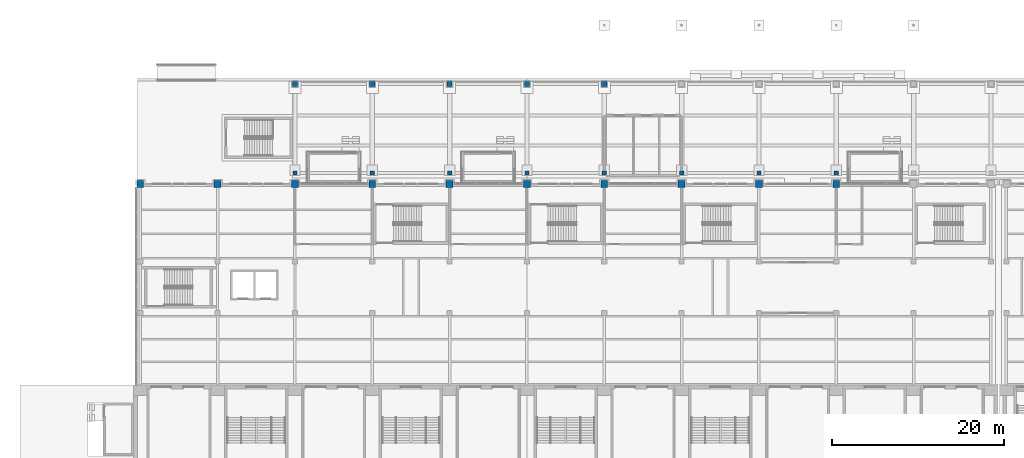
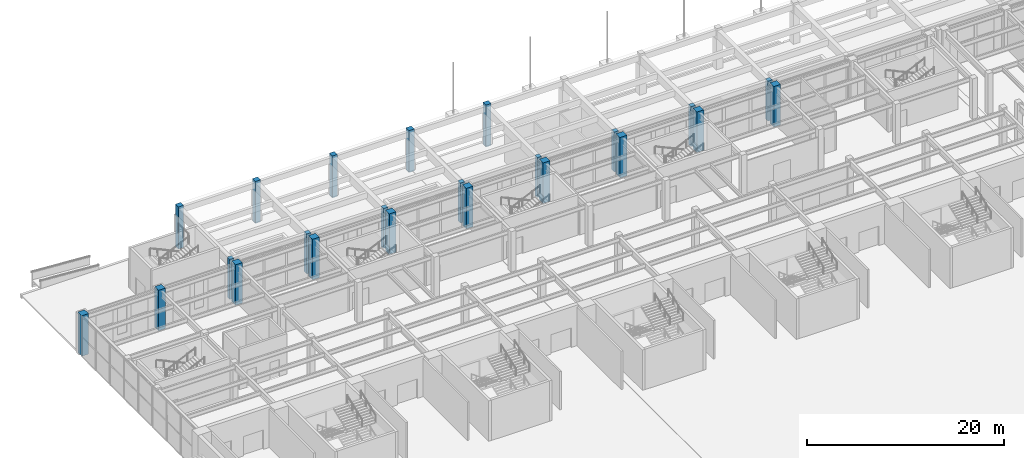
# One storey, part 7 of 77: 23 columns.
"""IFC4 building model written with IfcOpenShell, lengths in metres."""

from ifc_helpers import new_model, si_unit, direction, frame, origin, origin_2d, place, context, subcontext, project, spatial, rectangle, extrude, material, material_profile, profile_set, type_object, element, save


model = new_model("IFC4")

# Units and contexts
model_context = context("Model", 3, precision=1e-05, world=origin(), true_north=direction((0.0, 1.0)))
body_context = subcontext(model_context, "Body", "Model", "MODEL_VIEW")
ifc_project = project(units=[si_unit("LENGTHUNIT", "METRE"), si_unit("AREAUNIT", "SQUARE_METRE"), si_unit("VOLUMEUNIT", "CUBIC_METRE"), si_unit("PLANEANGLEUNIT", "RADIAN"), si_unit("MASSUNIT", "GRAM", prefix="KILO")], contexts=[model_context])

# Site, building, storey
site_placement = place(None, origin())
site = spatial("IfcSite", under=ifc_project, at=site_placement, CompositionType="ELEMENT")
building_placement = place(site_placement, origin())
building = spatial("IfcBuilding", under=site, at=building_placement, Name="Aravalli Gate Trade Fair Centre", CompositionType="ELEMENT")
storey_placement = place(building_placement, origin())
storey = spatial("IfcBuildingStorey", under=building, at=storey_placement, Name="L00", CompositionType="ELEMENT", Elevation=0.0)

# Columns
ifc_material = material(Name="Concrete M45", Category="concrete")
ifc_material_profile_1 = material_profile(ifc_material, rectangle(XDim=0.5, YDim=0.5, at=origin_2d()), Name="Arcade column 500 x 500")
ifc_profile_set_1 = profile_set([ifc_material_profile_1], Name="Concrete M45")
column_type_1 = type_object("IfcColumnType", Name="Arcade column 500 x 500", PredefinedType="COLUMN", material=ifc_profile_set_1)
for number, where, z_axis, x_axis, name in (
    (1, (24.0, 134.300048828125, -0.199951171875), (0.0, 0.0, 1.0), (1.0, 0.0, 0.0), "Arcade column S03"),
    (2, (33.0, 134.300048828125, -0.199951171875), (0.0, 0.0, 1.0), (1.0, 0.0, 0.0), "Arcade column S04"),
    (3, (42.0, 134.300048828125, -0.199951171875), (0.0, 0.0, 1.0), (1.0, 0.0, 0.0), "Arcade column S05"),
    (4, (51.0, 134.300048828125, -0.199951171875), (0.0, 0.0, 1.0), (1.0, 0.0, 0.0), "Arcade column S06"),
    (5, (60.0, 134.300048828125, -0.199951171875), (0.0, 0.0, 1.0), (1.0, 0.0, 0.0), "Arcade column S07"),
    (6, (69.0, 134.300048828125, -0.199951171875), (0.0, 0.0, 1.0), (1.0, 0.0, 0.0), "Arcade column S08"),
    (7, (78.0, 134.300048828125, -0.199951171875), (0.0, 0.0, 1.0), (1.0, 0.0, 0.0), "Arcade column S09"),
    (8, (87.0, 134.300048828125, -0.199951171875), (0.0, 0.0, 1.0), (1.0, 0.0, 0.0), "Arcade column S10"),
):
    element("IfcColumn", number, at=place(storey_placement, frame(where, z_axis=z_axis, x_axis=x_axis)), inside=storey, type_object=column_type_1, Name=name, PredefinedType="COLUMN", context=body_context, shape_type="SweptSolid", body=[
        extrude(rectangle(XDim=0.5, YDim=0.5, at=origin_2d()), origin(), (0.0, 0.0, 1.0), 4.949951171875),
    ])
ifc_material_profile_2 = material_profile(ifc_material, rectangle(XDim=0.60009765625, YDim=0.60009765625, at=origin_2d()), Name="Arcade pier 600 x 600")
ifc_profile_set_2 = profile_set([ifc_material_profile_2], Name="Concrete M45")
column_type_2 = type_object("IfcColumnType", Name="Arcade pier 600 x 600", PredefinedType="COLUMN", material=ifc_profile_set_2)
for number, where, z_axis, x_axis, name in (
    (9, (24.0, 144.64990234375, -0.199951171875), (0.0, 0.0, 1.0), (1.0, 0.0, 0.0), "Arcade pier N03 L00"),
    (10, (33.0, 144.64990234375, -0.199951171875), (0.0, 0.0, 1.0), (1.0, 0.0, 0.0), "Arcade pier N04 L00"),
    (11, (42.0, 144.64990234375, -0.199951171875), (0.0, 0.0, 1.0), (1.0, 0.0, 0.0), "Arcade pier N05 L00"),
    (12, (51.0, 144.64990234375, -0.199951171875), (0.0, 0.0, 1.0), (1.0, 0.0, 0.0), "Arcade pier N06 L00"),
    (13, (60.0, 144.64990234375, -0.199951171875), (0.0, 0.0, 1.0), (1.0, 0.0, 0.0), "Arcade pier N07 L00"),
):
    element("IfcColumn", number, at=place(storey_placement, frame(where, z_axis=z_axis, x_axis=x_axis)), inside=storey, type_object=column_type_2, Name=name, PredefinedType="COLUMN", context=body_context, shape_type="SweptSolid", body=[
        extrude(rectangle(XDim=0.60009765625, YDim=0.60009765625, at=origin_2d()), origin(), (0.0, 0.0, 1.0), 5.199951171875),
    ])
ifc_material_profile_3 = material_profile(ifc_material, rectangle(XDim=0.800048828125, YDim=0.800048828125, at=origin_2d()), Name="RC column 800 x 800")
ifc_profile_set_3 = profile_set([ifc_material_profile_3], Name="Concrete M45")
column_type_3 = type_object("IfcColumnType", Name="RC column 800 x 800", PredefinedType="COLUMN", material=ifc_profile_set_3)
for number, where, z_axis, x_axis, name in (
    (14, (6.0, 133.0, 0.0), (0.0, 0.0, 1.0), (1.0, 0.0, 0.0), "Concourse column K01 L00"),
    (15, (15.0, 133.0, 0.0), (0.0, 0.0, 1.0), (1.0, 0.0, 0.0), "Concourse column K02 L00"),
    (16, (24.0, 133.0, 0.0), (0.0, 0.0, 1.0), (1.0, 0.0, 0.0), "Concourse column K03 L00"),
    (17, (33.0, 133.0, 0.0), (0.0, 0.0, 1.0), (1.0, 0.0, 0.0), "Concourse column K04 L00"),
    (18, (42.0, 133.0, 0.0), (0.0, 0.0, 1.0), (1.0, 0.0, 0.0), "Concourse column K05 L00"),
    (19, (51.0, 133.0, 0.0), (0.0, 0.0, 1.0), (1.0, 0.0, 0.0), "Concourse column K06 L00"),
    (20, (60.0, 133.0, 0.0), (0.0, 0.0, 1.0), (1.0, 0.0, 0.0), "Concourse column K07 L00"),
    (21, (69.0, 133.0, 0.0), (0.0, 0.0, 1.0), (1.0, 0.0, 0.0), "Concourse column K08 L00"),
    (22, (78.0, 133.0, 0.0), (0.0, 0.0, 1.0), (1.0, 0.0, 0.0), "Concourse column K09 L00"),
    (23, (87.0, 133.0, 0.0), (0.0, 0.0, 1.0), (1.0, 0.0, 0.0), "Concourse column K10 L00"),
):
    element("IfcColumn", number, at=place(storey_placement, frame(where, z_axis=z_axis, x_axis=x_axis)), inside=storey, type_object=column_type_3, Name=name, PredefinedType="COLUMN", context=body_context, shape_type="SweptSolid", body=[
        extrude(rectangle(XDim=0.800048828125, YDim=0.800048828125, at=origin_2d()), origin(), (0.0, 0.0, 1.0), 5.0),
    ])

save(model, "model.ifc")
